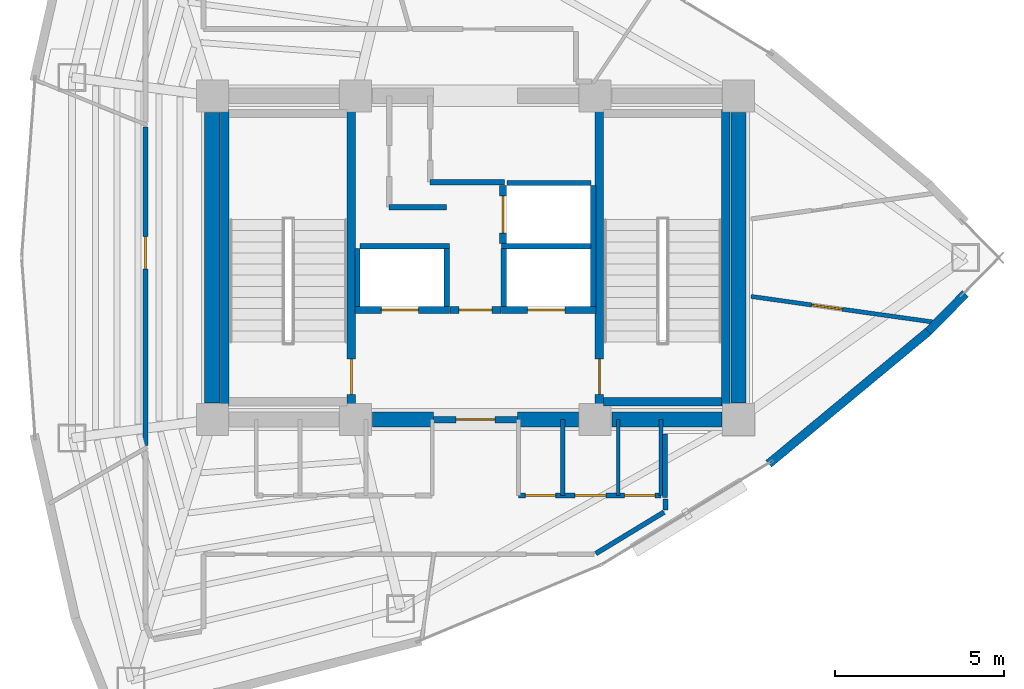
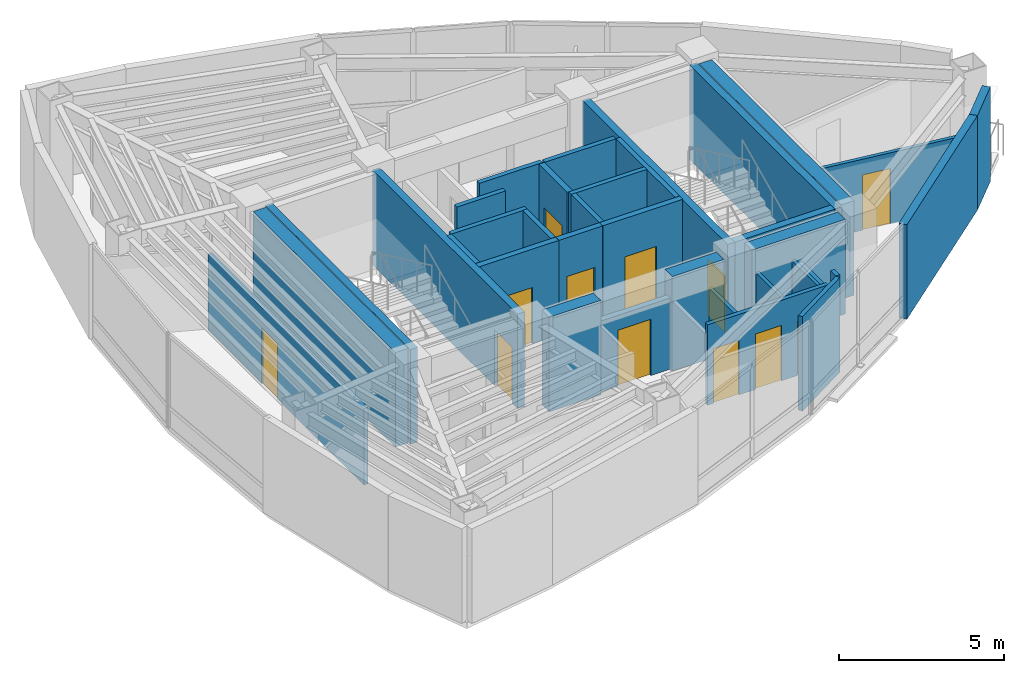
# One storey, part 12 of 15: 35 walls, 12 doors, 12 openings.
"""IFC4 building model written with IfcOpenShell, lengths in metres."""

from ifc_helpers import new_model, si_unit, direction, frame, frame_2d, origin, place, context, subcontext, project, spatial, rectangle, extrude, material, layer, layer_set, type_object, element, fill, save


model = new_model("IFC4")

# Units and contexts
model_context = context("Model", 3, precision=1e-05, world=origin(), true_north=direction((0.0, 1.0)))
body_context = subcontext(model_context, "Body", "Model", "MODEL_VIEW")
ifc_project = project(units=[si_unit("LENGTHUNIT", "METRE"), si_unit("AREAUNIT", "SQUARE_METRE"), si_unit("VOLUMEUNIT", "CUBIC_METRE"), si_unit("PLANEANGLEUNIT", "RADIAN"), si_unit("MASSUNIT", "GRAM", prefix="KILO")], contexts=[model_context])

# Site, building, storey
site_placement = place(None, origin())
site = spatial("IfcSite", under=ifc_project, at=site_placement, CompositionType="ELEMENT")
building_placement = place(site_placement, origin())
building = spatial("IfcBuilding", under=site, at=building_placement, Name="Menara Vayukalpa", CompositionType="ELEMENT")
storey_placement = place(building_placement, frame((0.0, 0.0, 284.340087890625)))
storey = spatial("IfcBuildingStorey", under=building, at=storey_placement, Name="L72", CompositionType="ELEMENT", Elevation=284.340087890625)

# Walls
ifc_material_1 = material(Name="Concrete C50/60", Category="concrete")
ifc_layer_1 = layer(ifc_material_1, 0.449951171875)
ifc_layer_set_1 = layer_set([ifc_layer_1], Name="Concrete C50/60")
wall_type_1 = type_object("IfcWallType", Name="WAL-CW450", PredefinedType="SHEAR", material=ifc_layer_set_1)
wall_1_placement = place(storey_placement, frame((22.544921875, 17.199951171875, 0.0), z_axis=(0.0, 0.0, 1.0), x_axis=(1.0, 0.0, 0.0)))
element("IfcWall", 1, at=wall_1_placement, inside=storey, type_object=wall_type_1, Name="L72 Buttressed Core Shear Wall CWS2", PredefinedType="SHEAR", context=body_context, shape_type="SweptSolid", body=[
    extrude(rectangle(XDim=1.80517578125, YDim=0.449951171875, at=frame_2d((0.902587890625, 0.0))), origin(), (0.0, 0.0, 1.0), 3.5),
])
wall_2_placement = place(storey_placement, frame((26.85009765625, 17.199951171875, 0.0), z_axis=(0.0, 0.0, 1.0), x_axis=(1.0, 0.0, 0.0)))
element("IfcWall", 2, at=wall_2_placement, inside=storey, type_object=wall_type_1, Name="L72 Buttressed Core Shear Wall CWS3", PredefinedType="SHEAR", context=body_context, shape_type="SweptSolid", body=[
    extrude(rectangle(XDim=1.804931640625, YDim=0.449951171875, at=frame_2d((0.90234375, 0.0))), origin(), (0.0, 0.0, 1.0), 3.5),
])
wall_3_placement = place(storey_placement, frame((29.64501953125, 17.199951171875, 0.0), z_axis=(0.0, 0.0, 1.0), x_axis=(1.0, 0.0, 0.0)))
element("IfcWall", 3, at=wall_3_placement, inside=storey, type_object=wall_type_1, Name="L72 Buttressed Core Shear Wall CWS4", PredefinedType="SHEAR", context=body_context, shape_type="SweptSolid", body=[
    extrude(rectangle(XDim=3.260009765625, YDim=0.449951171875, at=frame_2d((1.6298828125, 0.0))), origin(), (0.0, 0.0, 1.0), 3.5),
])
for number, where, z_axis, x_axis, name in (
    (4, (17.800048828125, 17.695068359375, 0.0), (0.0, 0.0, 1.0), (0.0, 1.0, 0.0), "L72 Buttressed Core Shear Wall CWW1"),
    (5, (33.39990234375, 17.695068359375, 0.0), (0.0, 0.0, 1.0), (0.0, 1.0, 0.0), "L72 Buttressed Core Shear Wall CWE1"),
):
    element("IfcWall", number, at=place(storey_placement, frame(where, z_axis=z_axis, x_axis=x_axis)), inside=storey, type_object=wall_type_1, Name=name, PredefinedType="SHEAR", context=body_context, shape_type="SweptSolid", body=[
        extrude(rectangle(XDim=8.60986328125, YDim=0.449951171875, at=frame_2d((4.304931640625, 0.0))), origin(), (0.0, 0.0, 1.0), 3.5),
    ])
ifc_material_2 = material(Name="Insulated Precast Concrete C40/50", Category="concrete")
ifc_layer_2 = layer(ifc_material_2, 0.260009765625)
ifc_layer_set_2 = layer_set([ifc_layer_2], Name="Insulated Precast Concrete C40/50")
wall_type_2 = type_object("IfcWallType", Name="WAL-EXT260", PredefinedType="PARTITIONING", material=ifc_layer_set_2)
wall_4_placement = place(storey_placement, frame((40.1240234375, 20.932861328125, 0.0), z_axis=(0.0, 0.0, 1.0), x_axis=(-0.700470648387, -0.71368121087, 0.0)))
element("IfcWall", 6, at=wall_4_placement, inside=storey, type_object=wall_type_2, Name="L72 Perimeter Terracotta Pier Wall 01", PredefinedType="PARTITIONING", context=body_context, shape_type="SweptSolid", body=[
    extrude(rectangle(XDim=1.57080078125, YDim=0.260009765625, at=frame_2d((0.785400390625, 0.0))), origin(), (0.0, 0.0, 1.0), 3.5),
])
wall_5_placement = place(storey_placement, frame((39.032470703125, 19.81982421875, 0.0), z_axis=(0.0, 0.0, 1.0), x_axis=(-0.769779830138, -0.638309496337, 0.0)))
element("IfcWall", 7, at=wall_5_placement, inside=storey, type_object=wall_type_2, Name="L72 Perimeter Terracotta Pier Wall 18", PredefinedType="PARTITIONING", context=body_context, shape_type="SweptSolid", body=[
    extrude(rectangle(XDim=6.154052734375, YDim=0.260009765625, at=frame_2d((3.0771484375, 0.0))), origin(), (0.0, 0.0, 1.0), 3.5),
])
ifc_material_3 = material(Name="Lightweight Concrete Blockwork C16/20", Category="masonry")
ifc_layer_3 = layer(ifc_material_3, 0.159912109375)
ifc_layer_set_3 = layer_set([ifc_layer_3], Name="Lightweight Concrete Blockwork C16/20")
wall_type_3 = type_object("IfcWallType", Name="WAL-FR150", PredefinedType="PARTITIONING", material=ifc_layer_set_3)
for number, where, z_axis, x_axis, name in (
    (8, (22.10498046875, 20.56005859375, 0.0), (0.0, 0.0, 1.0), (0.0, 1.0, 0.0), "L72 Interior Partition IW-L72-SHW-WW"),
    (9, (24.7548828125, 20.56005859375, 0.0), (0.0, 0.0, 1.0), (0.0, 1.0, 0.0), "L72 Interior Partition IW-L72-SHW-W1E"),
):
    element("IfcWall", number, at=place(storey_placement, frame(where, z_axis=z_axis, x_axis=x_axis)), inside=storey, type_object=wall_type_3, Name=name, PredefinedType="PARTITIONING", context=body_context, shape_type="SweptSolid", body=[
        extrude(rectangle(XDim=1.7099609375, YDim=0.159912109375, at=frame_2d((0.85498046875, 0.0))), origin(), (0.0, 0.0, 1.0), 3.5),
    ])
wall_6_placement = place(storey_placement, frame((22.179931640625, 22.344970703125, 0.0), z_axis=(0.0, 0.0, 1.0), x_axis=(1.0, 0.0, 0.0)))
element("IfcWall", 10, at=wall_6_placement, inside=storey, type_object=wall_type_3, Name="L72 Interior Partition IW-L72-SHM-W12", PredefinedType="PARTITIONING", context=body_context, shape_type="SweptSolid", body=[
    extrude(rectangle(XDim=2.650146484375, YDim=0.159912109375, at=frame_2d((1.3251953125, 0.0))), origin(), (0.0, 0.0, 1.0), 3.5),
])
wall_7_placement = place(storey_placement, frame((29.094970703125, 20.56005859375, 0.0), z_axis=(0.0, 0.0, 1.0), x_axis=(0.0, 1.0, 0.0)))
element("IfcWall", 11, at=wall_7_placement, inside=storey, type_object=wall_type_3, Name="L72 Interior Partition IW-L72-SHW-EE", PredefinedType="PARTITIONING", context=body_context, shape_type="SweptSolid", body=[
    extrude(rectangle(XDim=3.579833984375, YDim=0.159912109375, at=frame_2d((1.7900390625, 0.0))), origin(), (0.0, 0.0, 1.0), 3.5),
])
wall_8_placement = place(storey_placement, frame((26.445068359375, 20.56005859375, 0.0), z_axis=(0.0, 0.0, 1.0), x_axis=(0.0, 1.0, 0.0)))
element("IfcWall", 12, at=wall_8_placement, inside=storey, type_object=wall_type_3, Name="L72 Interior Partition IW-L72-SHW-E1W", PredefinedType="PARTITIONING", context=body_context, shape_type="SweptSolid", body=[
    extrude(rectangle(XDim=1.7099609375, YDim=0.159912109375, at=frame_2d((0.85498046875, 0.0))), origin(), (0.0, 0.0, 1.0), 3.5),
])
wall_9_placement = place(storey_placement, frame((26.3701171875, 22.344970703125, 0.0), z_axis=(0.0, 0.0, 1.0), x_axis=(1.0, 0.0, 0.0)))
element("IfcWall", 13, at=wall_9_placement, inside=storey, type_object=wall_type_3, Name="L72 Interior Partition IW-L72-SHM-E13", PredefinedType="PARTITIONING", context=body_context, shape_type="SweptSolid", body=[
    extrude(rectangle(XDim=2.64990234375, YDim=0.159912109375, at=frame_2d((1.324951171875, 0.0))), origin(), (0.0, 0.0, 1.0), 3.5),
])
wall_10_placement = place(storey_placement, frame((26.530029296875, 24.215087890625, 0.0), z_axis=(0.0, 0.0, 1.0), x_axis=(1.0, 0.0, 0.0)))
element("IfcWall", 14, at=wall_10_placement, inside=storey, type_object=wall_type_3, Name="L72 Interior Partition IW-L72-SHM-E32", PredefinedType="PARTITIONING", context=body_context, shape_type="SweptSolid", body=[
    extrude(rectangle(XDim=2.489990234375, YDim=0.159912109375, at=frame_2d((1.2451171875, 0.0))), origin(), (0.0, 0.0, 1.0), 3.5),
])
wall_11_placement = place(storey_placement, frame((23.0400390625, 23.5, 0.0), z_axis=(0.0, 0.0, 1.0), x_axis=(1.0, 0.0, 0.0)))
element("IfcWall", 15, at=wall_11_placement, inside=storey, type_object=wall_type_3, Name="L72 Interior Partition IW-L72-LV7WA", PredefinedType="PARTITIONING", context=body_context, shape_type="SweptSolid", body=[
    extrude(rectangle(XDim=1.699951171875, YDim=0.159912109375, at=frame_2d((0.85009765625, 0.0))), origin(), (0.0, 0.0, 1.0), 3.5),
])
wall_12_placement = place(storey_placement, frame((24.260009765625, 24.239990234375, 0.0), z_axis=(0.0, 0.0, 1.0), x_axis=(1.0, 0.0, 0.0)))
element("IfcWall", 16, at=wall_12_placement, inside=storey, type_object=wall_type_3, Name="L72 Interior Partition IW-L72-LV7EA", PredefinedType="PARTITIONING", context=body_context, shape_type="SweptSolid", body=[
    extrude(rectangle(XDim=2.199951171875, YDim=0.159912109375, at=frame_2d((1.10009765625, 0.0))), origin(), (0.0, 0.0, 1.0), 3.5),
])

# Wall, opening, door
ifc_material_4 = material(Name="Lightweight Concrete Blockwork C16/20", Category="masonry")
ifc_layer_4 = layer(ifc_material_4, 0.199951171875)
ifc_layer_set_4 = layer_set([ifc_layer_4], Name="Lightweight Concrete Blockwork C16/20")
wall_type_4 = type_object("IfcWallType", Name="WAL-FR200", PredefinedType="PARTITIONING", material=ifc_layer_set_4)
wall_13_placement = place(storey_placement, frame((24.35009765625, 17.199951171875, 0.0), z_axis=(0.0, 0.0, 1.0), x_axis=(1.0, 0.0, 0.0)))
wall_13 = element("IfcWall", 17, at=wall_13_placement, inside=storey, type_object=wall_type_4, Name="L72 Interior Partition IW-L72-FFLS", PredefinedType="PARTITIONING", context=body_context, shape_type="SweptSolid", body=[
    extrude(rectangle(XDim=2.5, YDim=0.199951171875, at=frame_2d((1.25, 0.0))), origin(), (0.0, 0.0, 1.0), 2.6298828125),
])
opening_1_placement = place(wall_13_placement, frame((0.679931640625, 0.0, 0.0)))
opening_1 = element("IfcOpeningElement", 18, at=opening_1_placement, cuts=wall_13, Name="Opening ID2", PredefinedType="OPENING", context=body_context, shape_type="SweptSolid", body=[
    extrude(rectangle(XDim=1.14990234375, YDim=2.080078125, at=frame_2d((0.574951171875, 1.0400390625))), frame((0.0, 0.10986328125, 0.0), z_axis=(0.0, -1.0, 0.0), x_axis=(1.0, 0.0, 0.0)), (0.0, 0.0, 1.0), 0.219970703125),
])
ifc_material_5 = material(Name="Fire-Rated Powder-Coated Steel Door", Category="steel")
door_type_1 = type_object("IfcDoorType", Name="DR-FD60W", OperationType="NOTDEFINED", PredefinedType="DOOR", material=ifc_material_5)
door_1_placement = place(opening_1_placement, origin())
door_1 = element("IfcDoor", 19, at=door_1_placement, inside=storey, type_object=door_type_1, Name="L72 Interior Door DR-L72-FFLS", OperationType="SINGLE_SWING_RIGHT", OverallHeight=2.080078125, OverallWidth=1.14990234375, PredefinedType="DOOR", context=body_context, shape_type="SweptSolid", body=[
    extrude(rectangle(XDim=1.14990234375, YDim=2.080078125, at=frame_2d((0.574951171875, 1.0400390625))), frame((0.0, 0.02490234375, 0.0), z_axis=(0.0, -1.0, 0.0), x_axis=(1.0, 0.0, 0.0)), (0.0, 0.0, 1.0), 0.050048828125),
])
fill(opening_1, door_1)

wall_14_placement = place(storey_placement, frame((24.840087890625, 20.449951171875, 0.0), z_axis=(0.0, 0.0, 1.0), x_axis=(1.0, 0.0, 0.0)))
wall_14 = element("IfcWall", 20, at=wall_14_placement, inside=storey, type_object=wall_type_4, Name="L72 Interior Partition IW-L72-FFLN", PredefinedType="PARTITIONING", context=body_context, shape_type="SweptSolid", body=[
    extrude(rectangle(XDim=1.52001953125, YDim=0.199951171875, at=frame_2d((0.760009765625, 0.0))), origin(), (0.0, 0.0, 1.0), 3.5),
])
opening_2_placement = place(wall_14_placement, frame((0.27001953125, 0.0, 0.0)))
opening_2 = element("IfcOpeningElement", 21, at=opening_2_placement, cuts=wall_14, Name="Opening ID3", PredefinedType="OPENING", context=body_context, shape_type="SweptSolid", body=[
    extrude(rectangle(XDim=0.97998046875, YDim=2.06005859375, at=frame_2d((0.489990234375, 1.030029296875))), frame((0.0, 0.10986328125, 0.0), z_axis=(0.0, -1.0, 0.0), x_axis=(1.0, 0.0, 0.0)), (0.0, 0.0, 1.0), 0.219970703125),
])
ifc_material_6 = material(Name="Fire-Rated Powder-Coated Steel Door", Category="steel")
door_type_2 = type_object("IfcDoorType", Name="DR-FD60", OperationType="NOTDEFINED", PredefinedType="DOOR", material=ifc_material_6)
door_2_placement = place(opening_2_placement, origin())
door_2 = element("IfcDoor", 22, at=door_2_placement, inside=storey, type_object=door_type_2, Name="L72 Interior Door DR-L72-FFLN", OperationType="SINGLE_SWING_LEFT", OverallHeight=2.06005859375, OverallWidth=0.97998046875, PredefinedType="DOOR", context=body_context, shape_type="SweptSolid", body=[
    extrude(rectangle(XDim=0.97998046875, YDim=2.06005859375, at=frame_2d((0.489990234375, 1.030029296875))), frame((0.0, 0.02490234375, 0.0), z_axis=(0.0, -1.0, 0.0), x_axis=(1.0, 0.0, 0.0)), (0.0, 0.0, 1.0), 0.050048828125),
])
fill(opening_2, door_2)

wall_15_placement = place(storey_placement, frame((22.030029296875, 20.449951171875, 0.0), z_axis=(0.0, 0.0, 1.0), x_axis=(1.0, 0.0, 0.0)))
wall_15 = element("IfcWall", 23, at=wall_15_placement, inside=storey, type_object=wall_type_4, Name="L72 Interior Partition IW-L72-SH-W1", PredefinedType="PARTITIONING", context=body_context, shape_type="SweptSolid", body=[
    extrude(rectangle(XDim=2.800048828125, YDim=0.199951171875, at=frame_2d((1.39990234375, 0.0))), origin(), (0.0, 0.0, 1.0), 3.5),
])
opening_3_placement = place(wall_15_placement, frame((0.780029296875, 0.0, 0.0)))
opening_3 = element("IfcOpeningElement", 24, at=opening_3_placement, cuts=wall_15, Name="Opening LD1", PredefinedType="OPENING", context=body_context, shape_type="SweptSolid", body=[
    extrude(rectangle(XDim=1.10009765625, YDim=2.080078125, at=frame_2d((0.550048828125, 1.0400390625))), frame((0.0, 0.10986328125, 0.0), z_axis=(0.0, -1.0, 0.0), x_axis=(1.0, 0.0, 0.0)), (0.0, 0.0, 1.0), 0.219970703125),
])
ifc_material_7 = material(Name="Brushed Stainless Steel 316 Lift Door", Category="steel")
door_type_3 = type_object("IfcDoorType", Name="DR-LD110", OperationType="NOTDEFINED", PredefinedType="DOOR", material=ifc_material_7)
door_3_placement = place(opening_3_placement, origin())
door_3 = element("IfcDoor", 25, at=door_3_placement, inside=storey, type_object=door_type_3, Name="L72 Interior Door DR-L72-LD-W1", OperationType="DOUBLE_DOOR_SLIDING", OverallHeight=2.080078125, OverallWidth=1.10009765625, PredefinedType="DOOR", context=body_context, shape_type="SweptSolid", body=[
    extrude(rectangle(XDim=1.10009765625, YDim=2.080078125, at=frame_2d((0.550048828125, 1.0400390625))), frame((0.0, 0.02490234375, 0.0), z_axis=(0.0, -1.0, 0.0), x_axis=(1.0, 0.0, 0.0)), (0.0, 0.0, 1.0), 0.050048828125),
])
fill(opening_3, door_3)

wall_16_placement = place(storey_placement, frame((26.3701171875, 20.449951171875, 0.0), z_axis=(0.0, 0.0, 1.0), x_axis=(1.0, 0.0, 0.0)))
wall_16 = element("IfcWall", 26, at=wall_16_placement, inside=storey, type_object=wall_type_4, Name="L72 Interior Partition IW-L72-SH-E1", PredefinedType="PARTITIONING", context=body_context, shape_type="SweptSolid", body=[
    extrude(rectangle(XDim=2.7998046875, YDim=0.199951171875, at=frame_2d((1.39990234375, 0.0))), origin(), (0.0, 0.0, 1.0), 3.5),
])
opening_4_placement = place(wall_16_placement, frame((0.780029296875, 0.0, 0.0)))
opening_4 = element("IfcOpeningElement", 27, at=opening_4_placement, cuts=wall_16, Name="Opening LD1", PredefinedType="OPENING", context=body_context, shape_type="SweptSolid", body=[
    extrude(rectangle(XDim=1.10009765625, YDim=2.080078125, at=frame_2d((0.550048828125, 1.0400390625))), frame((0.0, 0.10986328125, 0.0), z_axis=(0.0, -1.0, 0.0), x_axis=(1.0, 0.0, 0.0)), (0.0, 0.0, 1.0), 0.219970703125),
])
door_4_placement = place(opening_4_placement, origin())
door_4 = element("IfcDoor", 28, at=door_4_placement, inside=storey, type_object=door_type_3, Name="L72 Interior Door DR-L72-LD-E1", OperationType="DOUBLE_DOOR_SLIDING", OverallHeight=2.080078125, OverallWidth=1.10009765625, PredefinedType="DOOR", context=body_context, shape_type="SweptSolid", body=[
    extrude(rectangle(XDim=1.10009765625, YDim=2.080078125, at=frame_2d((0.550048828125, 1.0400390625))), frame((0.0, 0.02490234375, 0.0), z_axis=(0.0, -1.0, 0.0), x_axis=(1.0, 0.0, 0.0)), (0.0, 0.0, 1.0), 0.050048828125),
])
fill(opening_4, door_4)

wall_17_placement = place(storey_placement, frame((26.419921875, 22.419921875, 0.0), z_axis=(0.0, 0.0, 1.0), x_axis=(0.0, 1.0, 0.0)))
wall_17 = element("IfcWall", 29, at=wall_17_placement, inside=storey, type_object=wall_type_4, Name="L72 Interior Partition IW-L72-SH-E3", PredefinedType="PARTITIONING", context=body_context, shape_type="SweptSolid", body=[
    extrude(rectangle(XDim=1.719970703125, YDim=0.199951171875, at=frame_2d((0.85986328125, 0.0))), origin(), (0.0, 0.0, 1.0), 3.5),
])
opening_5_placement = place(wall_17_placement, frame((0.31005859375, 0.0, 0.0)))
opening_5 = element("IfcOpeningElement", 30, at=opening_5_placement, cuts=wall_17, Name="Opening LD1", PredefinedType="OPENING", context=body_context, shape_type="SweptSolid", body=[
    extrude(rectangle(XDim=1.10009765625, YDim=2.080078125, at=frame_2d((0.550048828125, 1.0400390625))), frame((0.0, 0.10986328125, 0.0), z_axis=(0.0, -1.0, 0.0), x_axis=(1.0, 0.0, 0.0)), (0.0, 0.0, 1.0), 0.219970703125),
])
door_5_placement = place(opening_5_placement, origin())
door_5 = element("IfcDoor", 31, at=door_5_placement, inside=storey, type_object=door_type_3, Name="L72 Interior Door DR-L72-LD-E3", OperationType="DOUBLE_DOOR_SLIDING", OverallHeight=2.080078125, OverallWidth=1.10009765625, PredefinedType="DOOR", context=body_context, shape_type="SweptSolid", body=[
    extrude(rectangle(XDim=1.10009765625, YDim=2.080078125, at=frame_2d((0.550048828125, 1.0400390625))), frame((0.0, 0.02490234375, 0.0), z_axis=(0.0, -1.0, 0.0), x_axis=(1.0, 0.0, 0.0)), (0.0, 0.0, 1.0), 0.050048828125),
])
fill(opening_5, door_5)

# Walls
ifc_material_8 = material(Name="Acoustic Mineral Stud Partition", Category="masonry")
ifc_layer_5 = layer(ifc_material_8, 0.110107421875)
ifc_layer_set_5 = layer_set([ifc_layer_5], Name="Acoustic Mineral Stud Partition")
wall_type_5 = type_object("IfcWallType", Name="WAL-PT110", PredefinedType="PARTITIONING", material=ifc_layer_set_5)
wall_18_placement = place(storey_placement, frame((29.830078125, 14.949951171875, 0.0), z_axis=(0.0, 0.0, 1.0), x_axis=(0.0, 1.0, 0.0)))
element("IfcWall", 32, at=wall_18_placement, inside=storey, type_object=wall_type_5, Name="L72 Interior Partition IW-L72-SVCD-07", PredefinedType="PARTITIONING", context=body_context, shape_type="SweptSolid", body=[
    extrude(rectangle(XDim=2.25, YDim=0.110107421875, at=frame_2d((1.125, 0.0))), origin(), (0.0, 0.0, 1.0), 2.6298828125),
])
ifc_material_9 = material(Name="Gypsum Drywall Steel Stud Assembly", Category="steel")
ifc_layer_6 = layer(ifc_material_9, 0.125)
ifc_layer_set_6 = layer_set([ifc_layer_6], Name="Gypsum Drywall Steel Stud Assembly")
wall_type_6 = type_object("IfcWallType", Name="WAL-PT125", PredefinedType="PARTITIONING", material=ifc_layer_set_6)
for number, where, z_axis, x_axis, name in (
    (33, (28.18994140625, 14.949951171875, 0.0), (0.0, 0.0, 1.0), (0.0, 1.0, 0.0), "L72 Interior Partition IW-L72-SVCD-06"),
    (34, (31.10009765625, 14.949951171875, 0.0), (0.0, 0.0, 1.0), (0.0, 1.0, 0.0), "L72 Interior Partition IW-L72-SVCD-08"),
):
    element("IfcWall", number, at=place(storey_placement, frame(where, z_axis=z_axis, x_axis=x_axis)), inside=storey, type_object=wall_type_6, Name=name, PredefinedType="PARTITIONING", context=body_context, shape_type="SweptSolid", body=[
        extrude(rectangle(XDim=2.25, YDim=0.125, at=frame_2d((1.125, 0.0))), origin(), (0.0, 0.0, 1.0), 2.6298828125),
    ])

# Wall, opening, door
wall_19_placement = place(storey_placement, frame((33.77001953125, 20.851806640625, 0.0), z_axis=(0.0, 0.0, 1.0), x_axis=(0.990268923666, -0.139167017724, 0.0)))
wall_19 = element("IfcWall", 35, at=wall_19_placement, inside=storey, type_object=wall_type_6, Name="L72 Interior Partition IW-L72-RDIV07", PredefinedType="PARTITIONING", context=body_context, shape_type="SweptSolid", body=[
    extrude(rectangle(XDim=5.580322265625, YDim=0.125, at=frame_2d((2.7900390625, 0.0))), origin(), (0.0, 0.0, 1.0), 2.6298828125),
])
opening_6_placement = place(wall_19_placement, frame((1.817626953125, 0.0, 0.0)))
opening_6 = element("IfcOpeningElement", 36, at=opening_6_placement, cuts=wall_19, Name="Opening ID6", PredefinedType="OPENING", context=body_context, shape_type="SweptSolid", body=[
    extrude(rectangle(XDim=0.919921875, YDim=2.050048828125, at=frame_2d((0.4599609375, 1.02490234375))), frame((0.0, 0.072509765625, 0.0), z_axis=(0.0, -1.0, 0.0), x_axis=(1.0, 0.0, 0.0)), (0.0, 0.0, 1.0), 0.14501953125),
])
ifc_material_10 = material(Name="Acoustic Hardwood Veneer Timber Door", Category="wood")
door_type_4 = type_object("IfcDoorType", Name="DR-INT92", OperationType="NOTDEFINED", PredefinedType="DOOR", material=ifc_material_10)
door_6_placement = place(opening_6_placement, origin())
door_6 = element("IfcDoor", 37, at=door_6_placement, inside=storey, type_object=door_type_4, Name="L72 Interior Door DR-L72-STE05", OperationType="SINGLE_SWING_RIGHT", OverallHeight=2.050048828125, OverallWidth=0.919921875, PredefinedType="DOOR", context=body_context, shape_type="SweptSolid", body=[
    extrude(rectangle(XDim=0.919921875, YDim=2.050048828125, at=frame_2d((0.4599609375, 1.02490234375))), frame((0.0, 0.02490234375, 0.0), z_axis=(0.0, -1.0, 0.0), x_axis=(1.0, 0.0, 0.0)), (0.0, 0.0, 1.0), 0.050048828125),
])
fill(opening_6, door_6)

# Wall, openings, doors
ifc_material_11 = material(Name="Gypsum Drywall Acoustic Stud Assembly", Category="masonry")
ifc_layer_7 = layer(ifc_material_11, 0.14501953125)
ifc_layer_set_7 = layer_set([ifc_layer_7], Name="Gypsum Drywall Acoustic Stud Assembly")
wall_type_7 = type_object("IfcWallType", Name="WAL-PT150", PredefinedType="PARTITIONING", material=ifc_layer_set_7)
wall_20_placement = place(storey_placement, frame((26.8798828125, 14.949951171875, 0.0), z_axis=(0.0, 0.0, 1.0), x_axis=(1.0, 0.0, 0.0)))
wall_20 = element("IfcWall", 38, at=wall_20_placement, inside=storey, type_object=wall_type_7, Name="L72 Interior Partition IW-L72-SVCS-E", PredefinedType="PARTITIONING", context=body_context, shape_type="SweptSolid", body=[
    extrude(rectangle(XDim=4.22021484375, YDim=0.14501953125, at=frame_2d((2.110107421875, 0.0))), origin(), (0.0, 0.0, 1.0), 2.97998046875),
])
opening_7_placement = place(wall_20_placement, frame((0.199951171875, 0.0, 0.0)))
opening_7 = element("IfcOpeningElement", 39, at=opening_7_placement, cuts=wall_20, Name="Opening ID7", PredefinedType="OPENING", context=body_context, shape_type="SweptSolid", body=[
    extrude(rectangle(XDim=0.89990234375, YDim=2.02001953125, at=frame_2d((0.449951171875, 1.010009765625))), frame((0.0, 0.08251953125, 0.0), z_axis=(0.0, -1.0, 0.0), x_axis=(1.0, 0.0, 0.0)), (0.0, 0.0, 1.0), 0.1650390625),
])
opening_8_placement = place(wall_20_placement, frame((1.669921875, 0.0, 0.0)))
opening_8 = element("IfcOpeningElement", 40, at=opening_8_placement, cuts=wall_20, Name="Opening ID6", PredefinedType="OPENING", context=body_context, shape_type="SweptSolid", body=[
    extrude(rectangle(XDim=0.919921875, YDim=2.050048828125, at=frame_2d((0.4599609375, 1.02490234375))), frame((0.0, 0.08251953125, 0.0), z_axis=(0.0, -1.0, 0.0), x_axis=(1.0, 0.0, 0.0)), (0.0, 0.0, 1.0), 0.1650390625),
])
opening_9_placement = place(wall_20_placement, frame((3.139892578125, 0.0, 0.0)))
opening_9 = element("IfcOpeningElement", 41, at=opening_9_placement, cuts=wall_20, Name="Opening ID7", PredefinedType="OPENING", context=body_context, shape_type="SweptSolid", body=[
    extrude(rectangle(XDim=0.89990234375, YDim=2.02001953125, at=frame_2d((0.449951171875, 1.010009765625))), frame((0.0, 0.08251953125, 0.0), z_axis=(0.0, -1.0, 0.0), x_axis=(1.0, 0.0, 0.0)), (0.0, 0.0, 1.0), 0.1650390625),
])
door_7_placement = place(opening_8_placement, origin())
door_7 = element("IfcDoor", 42, at=door_7_placement, inside=storey, type_object=door_type_4, Name="L72 Interior Door DR-L72-KSV2", OperationType="SINGLE_SWING_RIGHT", OverallHeight=2.050048828125, OverallWidth=0.919921875, PredefinedType="DOOR", context=body_context, shape_type="SweptSolid", body=[
    extrude(rectangle(XDim=0.919921875, YDim=2.050048828125, at=frame_2d((0.4599609375, 1.02490234375))), frame((0.0, 0.02490234375, 0.0), z_axis=(0.0, -1.0, 0.0), x_axis=(1.0, 0.0, 0.0)), (0.0, 0.0, 1.0), 0.050048828125),
])
fill(opening_8, door_7)
ifc_material_12 = material(Name="Powder-Coated Steel Riser Access Door", Category="steel")
door_type_5 = type_object("IfcDoorType", Name="DR-RISER", OperationType="NOTDEFINED", PredefinedType="DOOR", material=ifc_material_12)
door_8_placement = place(opening_7_placement, origin())
door_8 = element("IfcDoor", 43, at=door_8_placement, inside=storey, type_object=door_type_5, Name="L72 Interior Door DR-L72-KSV1", OperationType="SINGLE_SWING_LEFT", OverallHeight=2.02001953125, OverallWidth=0.89990234375, PredefinedType="DOOR", context=body_context, shape_type="SweptSolid", body=[
    extrude(rectangle(XDim=0.89990234375, YDim=2.02001953125, at=frame_2d((0.449951171875, 1.010009765625))), frame((0.0, 0.02490234375, 0.0), z_axis=(0.0, -1.0, 0.0), x_axis=(1.0, 0.0, 0.0)), (0.0, 0.0, 1.0), 0.050048828125),
])
fill(opening_7, door_8)
door_9_placement = place(opening_9_placement, origin())
door_9 = element("IfcDoor", 44, at=door_9_placement, inside=storey, type_object=door_type_5, Name="L72 Interior Door DR-L72-SMD", OperationType="SINGLE_SWING_LEFT", OverallHeight=2.02001953125, OverallWidth=0.89990234375, PredefinedType="DOOR", context=body_context, shape_type="SweptSolid", body=[
    extrude(rectangle(XDim=0.89990234375, YDim=2.02001953125, at=frame_2d((0.449951171875, 1.010009765625))), frame((0.0, 0.02490234375, 0.0), z_axis=(0.0, -1.0, 0.0), x_axis=(1.0, 0.0, 0.0)), (0.0, 0.0, 1.0), 0.050048828125),
])
fill(opening_9, door_9)

# Wall, opening, door
wall_21_placement = place(storey_placement, frame((15.820068359375, 25.8759765625, 0.0), z_axis=(0.0, 0.0, 1.0), x_axis=(0.0, -1.0, 0.0)))
wall_21 = element("IfcWall", 45, at=wall_21_placement, inside=storey, type_object=wall_type_7, Name="L72 Interior Partition IW-L72-CRM01-1", PredefinedType="PARTITIONING", context=body_context, shape_type="SweptSolid", body=[
    extrude(rectangle(XDim=9.441650390625, YDim=0.14501953125, at=frame_2d((4.720703125, 0.0))), origin(), (0.0, 0.0, 1.0), 2.829833984375),
])
opening_10_placement = place(wall_21_placement, frame((3.25439453125, 0.0, 0.0)))
opening_10 = element("IfcOpeningElement", 46, at=opening_10_placement, cuts=wall_21, Name="Opening ID5", PredefinedType="OPENING", context=body_context, shape_type="SweptSolid", body=[
    extrude(rectangle(XDim=0.949951171875, YDim=2.06005859375, at=frame_2d((0.47509765625, 1.030029296875))), frame((0.0, 0.08251953125, 0.0), z_axis=(0.0, -1.0, 0.0), x_axis=(1.0, 0.0, 0.0)), (0.0, 0.0, 1.0), 0.1650390625),
])
ifc_material_13 = material(Name="Acoustic Hardwood Veneer Timber Door", Category="wood")
door_type_6 = type_object("IfcDoorType", Name="DR-INT95", OperationType="NOTDEFINED", PredefinedType="DOOR", material=ifc_material_13)
door_10_placement = place(opening_10_placement, origin())
door_10 = element("IfcDoor", 47, at=door_10_placement, inside=storey, type_object=door_type_6, Name="L72 Interior Door DR-L72-RM01", OperationType="SINGLE_SWING_RIGHT", OverallHeight=2.06005859375, OverallWidth=0.949951171875, PredefinedType="DOOR", context=body_context, shape_type="SweptSolid", body=[
    extrude(rectangle(XDim=0.949951171875, YDim=2.06005859375, at=frame_2d((0.47509765625, 1.030029296875))), frame((0.0, 0.02490234375, 0.0), z_axis=(0.0, -1.0, 0.0), x_axis=(1.0, 0.0, 0.0)), (0.0, 0.0, 1.0), 0.050048828125),
])
fill(opening_10, door_10)

# Walls
wall_22_placement = place(storey_placement, frame((29.167724609375, 13.228515625, 0.0), z_axis=(0.0, 0.0, 1.0), x_axis=(0.854678044033, 0.519158396876, 0.0)))
element("IfcWall", 48, at=wall_22_placement, inside=storey, type_object=wall_type_7, Name="L72 Interior Partition IW-L72-CRM04-2", PredefinedType="PARTITIONING", context=body_context, shape_type="SweptSolid", body=[
    extrude(rectangle(XDim=2.36767578125, YDim=0.14501953125, at=frame_2d((1.183837890625, 0.0))), origin(), (0.0, 0.0, 1.0), 3.5),
])
wall_23_placement = place(storey_placement, frame((31.22998046875, 14.526123046875, 0.0), z_axis=(0.0, 0.0, 1.0), x_axis=(0.0, 1.0, 0.0)))
element("IfcWall", 49, at=wall_23_placement, inside=storey, type_object=wall_type_7, Name="L72 Interior Partition IW-L72-CRM04-3", PredefinedType="PARTITIONING", context=body_context, shape_type="SweptSolid", body=[
    extrude(rectangle(XDim=0.323974609375, YDim=0.14501953125, at=frame_2d((0.162109375, 0.0))), origin(), (0.0, 0.0, 1.0), 3.5),
])
wall_24_placement = place(storey_placement, frame((31.219970703125, 14.888671875, 0.0), z_axis=(0.0, 0.0, 1.0), x_axis=(0.0, 1.0, 0.0)))
element("IfcWall", 50, at=wall_24_placement, inside=storey, type_object=wall_type_7, Name="L72 Interior Partition IW-L72-CRM04-4", PredefinedType="PARTITIONING", context=body_context, shape_type="SweptSolid", body=[
    extrude(rectangle(XDim=1.891357421875, YDim=0.14501953125, at=frame_2d((0.94580078125, 0.0))), origin(), (0.0, 0.0, 1.0), 2.6298828125),
])
ifc_material_14 = material(Name="Concrete C50/60", Category="concrete")
ifc_layer_8 = layer(ifc_material_14, 0.25)
ifc_layer_set_8 = layer_set([ifc_layer_8], Name="Concrete C50/60")
wall_type_8 = type_object("IfcWallType", Name="WAL-SW250", PredefinedType="SHEAR", material=ifc_layer_set_8)
wall_25_placement = place(storey_placement, frame((18.175048828125, 17.60009765625, 0.0), z_axis=(0.0, 0.0, 1.0), x_axis=(0.0, 1.0, 0.0)))
element("IfcWall", 51, at=wall_25_placement, inside=storey, type_object=wall_type_8, Name="L72 ST1 Structural Stair Shaft Wall W", PredefinedType="SHEAR", context=body_context, shape_type="SweptSolid", body=[
    extrude(rectangle(XDim=8.7998046875, YDim=0.25, at=frame_2d((4.39990234375, 0.0))), origin(), (0.0, 0.0, 1.0), 3.5),
])

# Wall, opening, door
wall_26_placement = place(storey_placement, frame((21.925048828125, 17.60009765625, 0.0), z_axis=(0.0, 0.0, 1.0), x_axis=(0.0, 1.0, 0.0)))
wall_26 = element("IfcWall", 52, at=wall_26_placement, inside=storey, type_object=wall_type_8, Name="L72 ST1 Structural Stair Shaft Wall E", PredefinedType="SHEAR", context=body_context, shape_type="SweptSolid", body=[
    extrude(rectangle(XDim=8.7998046875, YDim=0.25, at=frame_2d((4.39990234375, 0.0))), origin(), (0.0, 0.0, 1.0), 3.5),
])
opening_11_placement = place(wall_26_placement, frame((0.35009765625, 0.0, 0.0)))
opening_11 = element("IfcOpeningElement", 53, at=opening_11_placement, cuts=wall_26, Name="Opening ID1", PredefinedType="OPENING", context=body_context, shape_type="SweptSolid", body=[
    extrude(rectangle(XDim=1.050048828125, YDim=2.080078125, at=frame_2d((0.52490234375, 1.0400390625))), frame((0.0, 0.135009765625, 0.0), z_axis=(0.0, -1.0, 0.0), x_axis=(1.0, 0.0, 0.0)), (0.0, 0.0, 1.0), 0.27001953125),
])
ifc_material_15 = material(Name="Fire-Rated Powder-Coated Steel Door", Category="steel")
door_type_7 = type_object("IfcDoorType", Name="DR-FD120", OperationType="NOTDEFINED", PredefinedType="DOOR", material=ifc_material_15)
door_11_placement = place(opening_11_placement, origin())
door_11 = element("IfcDoor", 54, at=door_11_placement, inside=storey, type_object=door_type_7, Name="L72 Stair Exit Door DR-L72-ST1", OperationType="SINGLE_SWING_LEFT", OverallHeight=2.080078125, OverallWidth=1.050048828125, PredefinedType="DOOR", context=body_context, shape_type="SweptSolid", body=[
    extrude(rectangle(XDim=1.050048828125, YDim=2.080078125, at=frame_2d((0.52490234375, 1.0400390625))), frame((0.0, 0.02490234375, 0.0), z_axis=(0.0, -1.0, 0.0), x_axis=(1.0, 0.0, 0.0)), (0.0, 0.0, 1.0), 0.050048828125),
])
fill(opening_11, door_11)

wall_27_placement = place(storey_placement, frame((29.27490234375, 17.60009765625, 0.0), z_axis=(0.0, 0.0, 1.0), x_axis=(0.0, 1.0, 0.0)))
wall_27 = element("IfcWall", 55, at=wall_27_placement, inside=storey, type_object=wall_type_8, Name="L72 ST2 Structural Stair Shaft Wall W", PredefinedType="SHEAR", context=body_context, shape_type="SweptSolid", body=[
    extrude(rectangle(XDim=8.7998046875, YDim=0.25, at=frame_2d((4.39990234375, 0.0))), origin(), (0.0, 0.0, 1.0), 3.5),
])
opening_12_placement = place(wall_27_placement, frame((0.35009765625, 0.0, 0.0)))
opening_12 = element("IfcOpeningElement", 56, at=opening_12_placement, cuts=wall_27, Name="Opening ID1", PredefinedType="OPENING", context=body_context, shape_type="SweptSolid", body=[
    extrude(rectangle(XDim=1.050048828125, YDim=2.080078125, at=frame_2d((0.52490234375, 1.0400390625))), frame((0.0, 0.135009765625, 0.0), z_axis=(0.0, -1.0, 0.0), x_axis=(1.0, 0.0, 0.0)), (0.0, 0.0, 1.0), 0.27001953125),
])
door_12_placement = place(opening_12_placement, origin())
door_12 = element("IfcDoor", 57, at=door_12_placement, inside=storey, type_object=door_type_7, Name="L72 Stair Exit Door DR-L72-ST2", OperationType="SINGLE_SWING_RIGHT", OverallHeight=2.080078125, OverallWidth=1.050048828125, PredefinedType="DOOR", context=body_context, shape_type="SweptSolid", body=[
    extrude(rectangle(XDim=1.050048828125, YDim=2.080078125, at=frame_2d((0.52490234375, 1.0400390625))), frame((0.0, 0.02490234375, 0.0), z_axis=(0.0, -1.0, 0.0), x_axis=(1.0, 0.0, 0.0)), (0.0, 0.0, 1.0), 0.050048828125),
])
fill(opening_12, door_12)

# Walls
wall_28_placement = place(storey_placement, frame((33.02490234375, 17.60009765625, 0.0), z_axis=(0.0, 0.0, 1.0), x_axis=(0.0, 1.0, 0.0)))
element("IfcWall", 58, at=wall_28_placement, inside=storey, type_object=wall_type_8, Name="L72 ST2 Structural Stair Shaft Wall E", PredefinedType="SHEAR", context=body_context, shape_type="SweptSolid", body=[
    extrude(rectangle(XDim=8.7998046875, YDim=0.25, at=frame_2d((4.39990234375, 0.0))), origin(), (0.0, 0.0, 1.0), 3.5),
])
wall_29_placement = place(storey_placement, frame((29.39990234375, 17.72509765625, 0.0), z_axis=(0.0, 0.0, 1.0), x_axis=(1.0, 0.0, 0.0)))
element("IfcWall", 59, at=wall_29_placement, inside=storey, type_object=wall_type_8, Name="L72 ST2 Structural Stair Shaft Wall S", PredefinedType="SHEAR", context=body_context, shape_type="SweptSolid", body=[
    extrude(rectangle(XDim=3.5, YDim=0.25, at=frame_2d((1.75, 0.0))), origin(), (0.0, 0.0, 1.0), 3.5),
])

save(model, "model.ifc")
